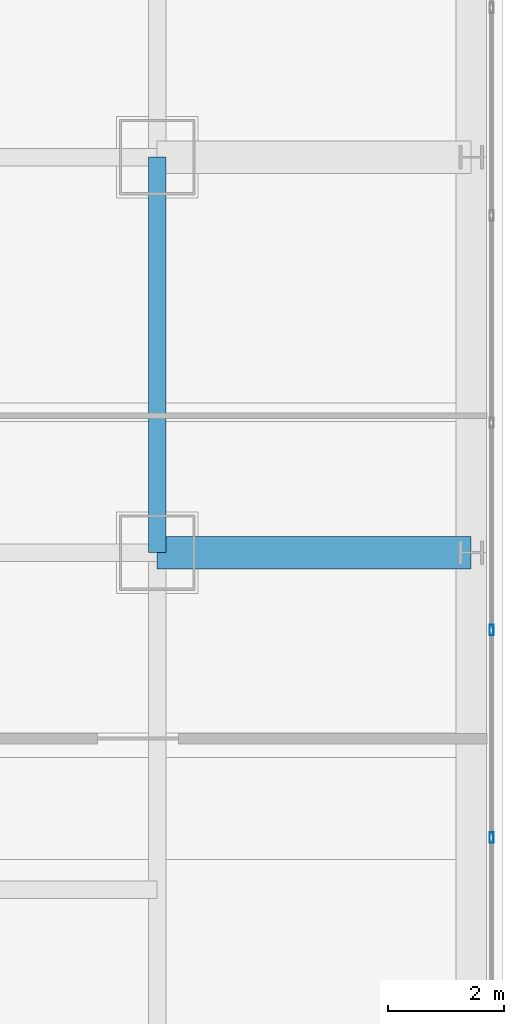
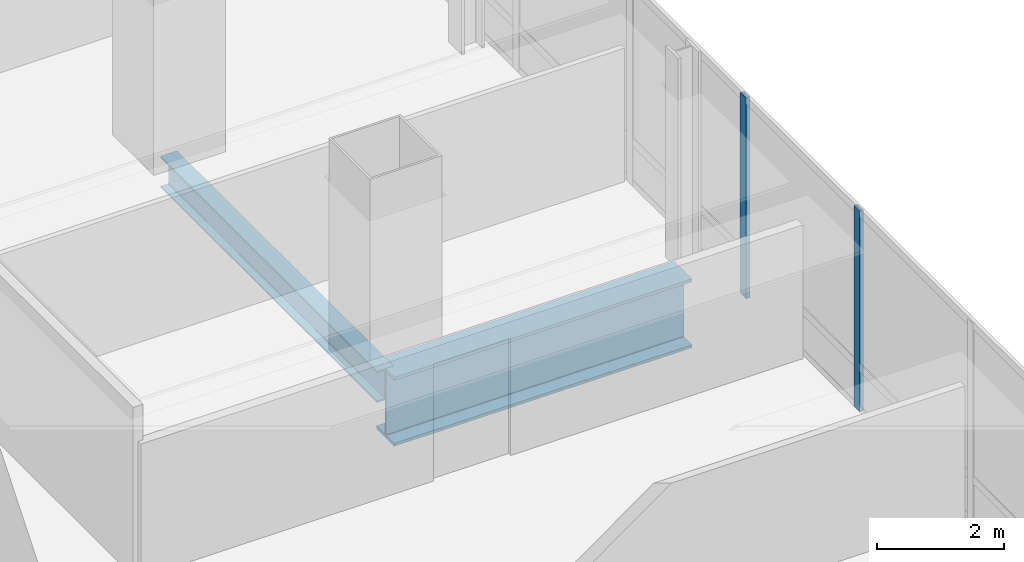
# One storey, part 17 of 42: 2 beams, 2 members, 1 element without a shape of its own.
"""IFC4 building model written with IfcOpenShell, lengths in metres."""

from ifc_helpers import new_model, si_unit, direction, frame, origin, origin_2d, place, context, subcontext, project, spatial, hollow_rectangle, i_section, extrude, material, material_profile, profile_set, type_object, element, aggregate, save


model = new_model("IFC4")

# Units and contexts
model_context = context("Model", 3, precision=1e-05, world=origin(), true_north=direction((0.0, 1.0)))
body_context = subcontext(model_context, "Body", "Model", "MODEL_VIEW")
ifc_project = project(units=[si_unit("LENGTHUNIT", "METRE"), si_unit("AREAUNIT", "SQUARE_METRE"), si_unit("VOLUMEUNIT", "CUBIC_METRE"), si_unit("PLANEANGLEUNIT", "RADIAN"), si_unit("MASSUNIT", "GRAM", prefix="KILO")], contexts=[model_context])

# Site, building, storey
site_placement = place(None, origin())
site = spatial("IfcSite", under=ifc_project, at=site_placement, CompositionType="ELEMENT")
building_placement = place(site_placement, origin())
building = spatial("IfcBuilding", under=site, at=building_placement, Name="Punatoya Terracotta Tower", CompositionType="ELEMENT")
storey_placement = place(building_placement, frame((0.0, 0.0, 263.550048828125)))
storey = spatial("IfcBuildingStorey", under=building, at=storey_placement, Name="L62", CompositionType="ELEMENT", Elevation=263.550048828125)

# Beams
ifc_material_1 = material(Name="Steel S355", Category="steel")
ifc_material_profile_1 = material_profile(ifc_material_1, i_section(OverallWidth=0.300048828125, OverallDepth=0.60009765625, WebThickness=0.015380859375, FlangeThickness=0.030029296875, FilletRadius=0.01806640625, at=origin_2d()))
ifc_profile_set_1 = profile_set([ifc_material_profile_1], Name="Steel S355")
beam_type_1 = type_object("IfcBeamType", Name="BM-PRI-600", PredefinedType="BEAM", material=ifc_profile_set_1)
beam_1_placement = place(storey_placement, frame((19.10009765625, -3.39990234375, -0.5), z_axis=(0.0, 1.0, 0.0), x_axis=(-1.0, 0.0, 0.0)))
element("IfcBeam", 1, at=beam_1_placement, inside=storey, type_object=beam_type_1, Name="BM-L62-RG-E2", PredefinedType="BEAM", context=body_context, shape_type="SweptSolid", body=[
    extrude(i_section(OverallWidth=0.300048828125, OverallDepth=0.60009765625, WebThickness=0.015380859375, FlangeThickness=0.030029296875, FilletRadius=0.01806640625, at=origin_2d()), origin(), (0.0, 0.0, 1.0), 6.7998046875),
])
ifc_material_2 = material(Name="Steel S460", Category="steel")
ifc_material_profile_2 = material_profile(ifc_material_2, i_section(OverallWidth=0.56005859375, OverallDepth=1.320068359375, WebThickness=0.035888671875, FlangeThickness=0.054931640625, FilletRadius=0.01806640625, at=origin_2d()))
ifc_profile_set_2 = profile_set([ifc_material_profile_2], Name="Steel S460")
beam_type_2 = type_object("IfcBeamType", Name="BM-TG-BLK", PredefinedType="BEAM", material=ifc_profile_set_2)
beam_2_placement = place(storey_placement, frame((19.10009765625, -3.39990234375, -0.860107421875), z_axis=(1.0, 0.0, 0.0), x_axis=(0.0, 1.0, 0.0)))
element("IfcBeam", 2, at=beam_2_placement, inside=storey, type_object=beam_type_2, Name="BM-L62-CANT-E2", PredefinedType="BEAM", context=body_context, shape_type="SweptSolid", body=[
    extrude(i_section(OverallWidth=0.56005859375, OverallDepth=1.320068359375, WebThickness=0.035888671875, FlangeThickness=0.054931640625, FilletRadius=0.01806640625, at=origin_2d()), origin(), (0.0, 0.0, 1.0), 5.39990234375),
])

# Curtain wall, members
ifc_material_3 = material(Name="Aluminium 6063-T6 + Double Low-E Glass", Category="aluminium")
curtain_wall_type = type_object("IfcCurtainWallType", Name="CW-M3", PredefinedType="NOTDEFINED", material=ifc_material_3)
curtain_wall_placement = place(storey_placement, origin())
curtain_wall = element("IfcCurtainWall", 3, at=curtain_wall_placement, inside=storey, type_object=curtain_wall_type, Name="L62 Curtain Wall CW-L62-E05-1", PredefinedType="NOTDEFINED")
ifc_material_4 = material(Name="Aluminium 6063-T6", Category="aluminium")
ifc_material_profile_3 = material_profile(ifc_material_4, hollow_rectangle(XDim=0.070068359375, YDim=0.179931640625, WallThickness=0.00390625, at=origin_2d()))
ifc_profile_set_3 = profile_set([ifc_material_profile_3], Name="Aluminium 6063-T6")
member_type = type_object("IfcMemberType", Name="CW-MUL-M3", PredefinedType="MULLION", material=ifc_profile_set_3)
member_1_placement = place(storey_placement, frame((24.85009765625, -8.302001953125, 0.0), z_axis=(0.0, 0.0, 1.0), x_axis=(1.0, 0.0, 0.0)))
member_1 = element("IfcMember", 4, at=member_1_placement, type_object=member_type, Name="CW-L62-E05-1 Mullion 02", PredefinedType="MULLION", context=body_context, shape_type="SweptSolid", body=[
    extrude(hollow_rectangle(XDim=0.070068359375, YDim=0.179931640625, WallThickness=0.00390625, at=origin_2d()), origin(), (0.0, 0.0, 1.0), 3.849853515625),
])
member_2_placement = place(storey_placement, frame((24.85009765625, -4.73486328125, 0.0), z_axis=(0.0, 0.0, 1.0), x_axis=(1.0, 0.0, 0.0)))
member_2 = element("IfcMember", 5, at=member_2_placement, type_object=member_type, Name="CW-L62-E05-1 Mullion 03", PredefinedType="MULLION", context=body_context, shape_type="SweptSolid", body=[
    extrude(hollow_rectangle(XDim=0.070068359375, YDim=0.179931640625, WallThickness=0.00390625, at=origin_2d()), origin(), (0.0, 0.0, 1.0), 3.849853515625),
])
aggregate(curtain_wall, [member_1, member_2])

save(model, "model.ifc")
